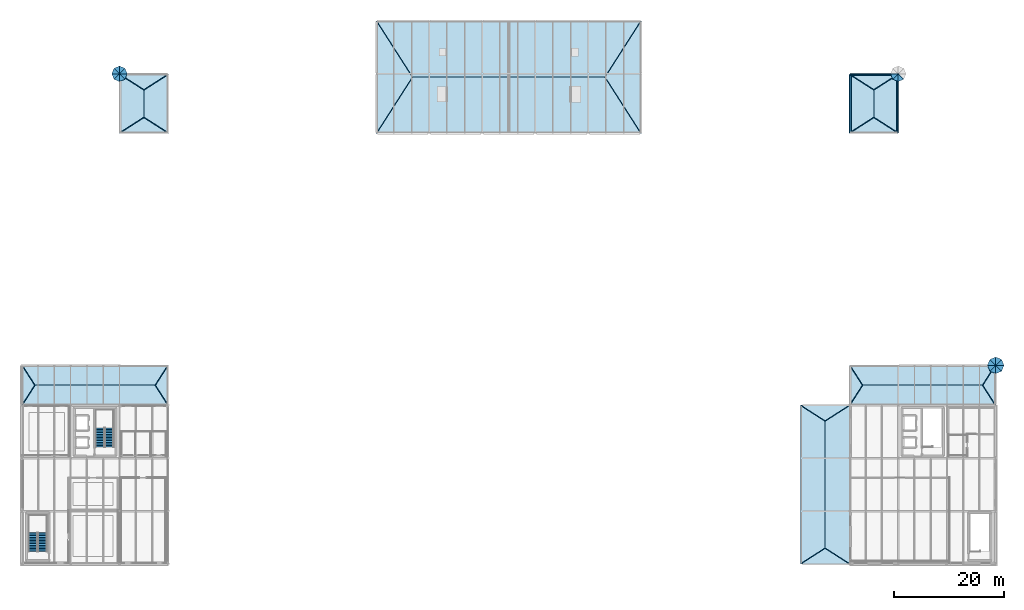
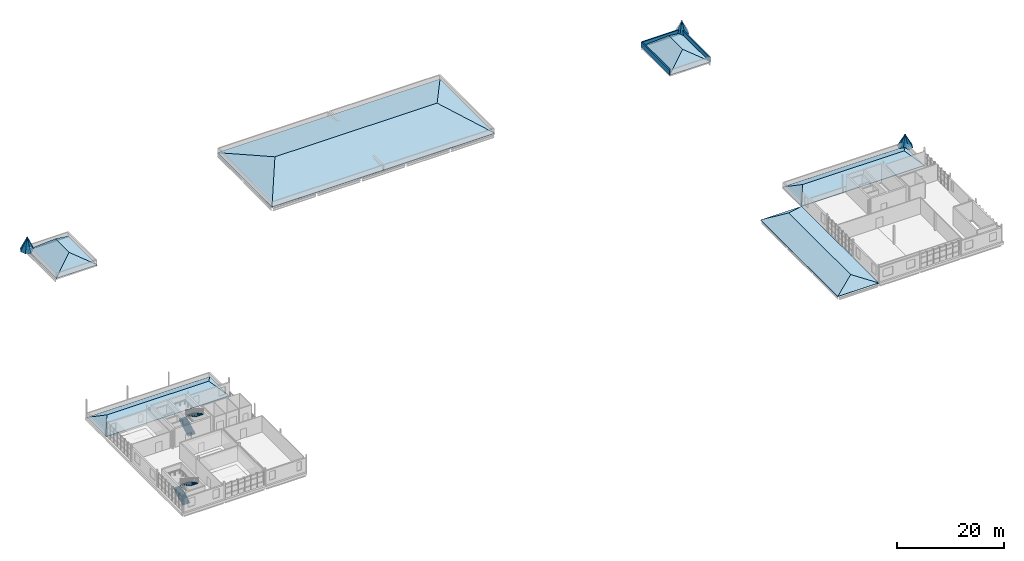
# One storey, part 25 of 28: 43 roofs, 4 stair flights, 3 walls, 2 elements without a shape of their own.
"""IFC4 building model written with IfcOpenShell, lengths in metres."""

from ifc_helpers import new_model, si_unit, direction, frame, frame_2d, origin, place, context, subcontext, project, spatial, polyline, rectangle, outline, extrude, material, layer, layer_set, type_object, element, aggregate, save


model = new_model("IFC4")

# Units and contexts
model_context = context("Model", 3, precision=1e-05, world=origin(), true_north=direction((0.0, 1.0)))
body_context = subcontext(model_context, "Body", "Model", "MODEL_VIEW")
ifc_project = project(units=[si_unit("LENGTHUNIT", "METRE"), si_unit("AREAUNIT", "SQUARE_METRE"), si_unit("VOLUMEUNIT", "CUBIC_METRE"), si_unit("PLANEANGLEUNIT", "RADIAN"), si_unit("MASSUNIT", "GRAM", prefix="KILO")], contexts=[model_context])

# Site, building, storey
site_placement = place(None, origin())
site = spatial("IfcSite", under=ifc_project, at=site_placement, CompositionType="ELEMENT")
building_placement = place(site_placement, origin())
building = spatial("IfcBuilding", under=site, at=building_placement, Name="Yeouljin Market Hall", CompositionType="ELEMENT")
storey_placement = place(building_placement, frame((0.0, 0.0, 15.0)))
storey = spatial("IfcBuildingStorey", under=building, at=storey_placement, Name="L03", CompositionType="ELEMENT", Elevation=15.0)

# Walls
ifc_material_1 = material(Name="Clinker Brick Masonry F2-S2", Category="masonry")
ifc_layer_1 = layer(ifc_material_1, 0.280029296875)
ifc_layer_set_1 = layer_set([ifc_layer_1], Name="Clinker Brick Masonry F2-S2")
wall_type = type_object("IfcWallType", Name="Wall_Parapet_Clinker_280", PredefinedType="PARAPET", material=ifc_layer_set_1)
wall_1_placement = place(storey_placement, frame((158.60009765625, 78.139892578125, 0.010009765625), z_axis=(0.0, 0.0, 1.0), x_axis=(0.0, 1.0, 0.0)))
element("IfcWall", 1, at=wall_1_placement, inside=storey, type_object=wall_type, Name="Roof parapet RSLB-V3-L02N-2", PredefinedType="PARAPET", context=body_context, shape_type="SweptSolid", body=[
    extrude(rectangle(XDim=10.52001953125, YDim=0.280029296875, at=frame_2d((5.260009765625, 0.0))), origin(), (0.0, 0.0, 1.0), 1.14990234375),
])
wall_2_placement = place(storey_placement, frame((158.60009765625, 88.659912109375, 0.010009765625), z_axis=(0.0, 0.0, 1.0), x_axis=(-1.0, 0.0, 0.0)))
element("IfcWall", 2, at=wall_2_placement, inside=storey, type_object=wall_type, Name="Roof parapet RSLB-V3-L02N-3", PredefinedType="PARAPET", context=body_context, shape_type="SweptSolid", body=[
    extrude(rectangle(XDim=8.550048828125, YDim=0.280029296875, at=frame_2d((4.27490234375, 0.0))), origin(), (0.0, 0.0, 1.0), 1.14990234375),
])
wall_3_placement = place(storey_placement, frame((150.050048828125, 88.659912109375, 0.010009765625), z_axis=(0.0, 0.0, 1.0), x_axis=(0.0, -1.0, 0.0)))
element("IfcWall", 3, at=wall_3_placement, inside=storey, type_object=wall_type, Name="Roof parapet RSLB-V3-L02N-4", PredefinedType="PARAPET", context=body_context, shape_type="SweptSolid", body=[
    extrude(rectangle(XDim=10.52001953125, YDim=0.280029296875, at=frame_2d((5.260009765625, 0.0))), origin(), (0.0, 0.0, 1.0), 1.14990234375),
])

# Stair, stair flights
ifc_material_2 = material(Name="Concrete C30/37", Category="concrete")
stair_type_1 = type_object("IfcStairType", Name="Stair_Core_L03_L04", PredefinedType="TWO_STRAIGHT_RUN_STAIR", material=ifc_material_2)
stair_1_placement = place(storey_placement, origin())
stair_1 = element("IfcStair", 4, at=stair_1_placement, inside=storey, type_object=stair_type_1, Name="Enclosed exit stair ST-C1-L03", PredefinedType="TWO_STRAIGHT_RUN_STAIR")
ifc_material_3 = material(Name="Concrete C30/37", Category="concrete")
ifc_layer_2 = layer(ifc_material_3, 0.159912109375)
ifc_layer_set_2 = layer_set([ifc_layer_2], Name="Concrete C30/37")
stair_flight_type = type_object("IfcStairFlightType", Name="StairFlight_1580", PredefinedType="STRAIGHT", material=ifc_layer_set_2)
stair_flight_1_placement = place(storey_placement, frame((14.14990234375, 21.199951171875, 0.0), z_axis=(0.0, 0.0, 1.0), x_axis=(0.0, 1.0, 0.0)))
stair_flight_1 = element("IfcStairFlight", 5, at=stair_flight_1_placement, type_object=stair_flight_type, Name="ST-C1-L03 flight 1", NumberOfRisers=13, NumberOfTreads=12, PredefinedType="STRAIGHT", RiserHeight=0.161538462, TreadLength=0.29, context=body_context, shape_type="SweptSolid", body=[
    extrude(outline(polyline([(0.0, 0.0), (0.0, 0.16162109375), (0.2900390625, 0.16162109375), (0.2900390625, 0.322998046875), (0.580078125, 0.322998046875), (0.580078125, 0.484619140625), (0.8701171875, 0.484619140625), (0.8701171875, 0.646240234375), (1.159912109375, 0.646240234375), (1.159912109375, 0.8076171875), (1.449951171875, 0.8076171875), (1.449951171875, 0.96923828125), (1.739990234375, 0.96923828125), (1.739990234375, 1.130859375), (2.030029296875, 1.130859375), (2.030029296875, 1.292236328125), (2.320068359375, 1.292236328125), (2.320068359375, 1.453857421875), (2.610107421875, 1.453857421875), (2.610107421875, 1.615478515625), (2.89990234375, 1.615478515625), (2.89990234375, 1.77685546875), (3.18994140625, 1.77685546875), (3.18994140625, 1.9384765625), (3.47998046875, 1.9384765625), (3.47998046875, 2.10009765625), (3.47998046875, 1.732421875), (0.369873046875, 0.0), (0.0, 0.0)])), frame((0.0, 0.81005859375, 0.0), z_axis=(0.0, -1.0, 0.0), x_axis=(1.0, 0.0, 0.0)), (0.0, 0.0, 1.0), 1.6201171875),
])
stair_flight_2_placement = place(storey_placement, frame((15.85009765625, 24.679931640625, 2.10009765625), z_axis=(0.0, 0.0, 1.0), x_axis=(0.0, -1.0, 0.0)))
stair_flight_2 = element("IfcStairFlight", 6, at=stair_flight_2_placement, type_object=stair_flight_type, Name="ST-C1-L03 flight 2", NumberOfRisers=13, NumberOfTreads=12, PredefinedType="STRAIGHT", RiserHeight=0.161538462, TreadLength=0.29, context=body_context, shape_type="SweptSolid", body=[
    extrude(outline(polyline([(0.0, 0.0), (0.0, 0.16162109375), (0.2900390625, 0.16162109375), (0.2900390625, 0.322998046875), (0.580078125, 0.322998046875), (0.580078125, 0.484619140625), (0.8701171875, 0.484619140625), (0.8701171875, 0.646240234375), (1.159912109375, 0.646240234375), (1.159912109375, 0.8076171875), (1.449951171875, 0.8076171875), (1.449951171875, 0.96923828125), (1.739990234375, 0.96923828125), (1.739990234375, 1.130859375), (2.030029296875, 1.130859375), (2.030029296875, 1.292236328125), (2.320068359375, 1.292236328125), (2.320068359375, 1.453857421875), (2.610107421875, 1.453857421875), (2.610107421875, 1.615478515625), (2.89990234375, 1.615478515625), (2.89990234375, 1.77685546875), (3.18994140625, 1.77685546875), (3.18994140625, 1.9384765625), (3.47998046875, 1.9384765625), (3.47998046875, 2.10009765625), (3.47998046875, 1.732421875), (0.369873046875, 0.0), (0.0, 0.0)])), frame((0.0, 0.81005859375, 0.0), z_axis=(0.0, -1.0, 0.0), x_axis=(1.0, 0.0, 0.0)), (0.0, 0.0, 1.0), 1.6201171875),
])
aggregate(stair_1, [stair_flight_1, stair_flight_2])

ifc_material_4 = material(Name="Concrete C30/37", Category="concrete")
stair_type_2 = type_object("IfcStairType", Name="Stair_Escape_Wing", PredefinedType="HALF_TURN_STAIR", material=ifc_material_4)
stair_2_placement = place(storey_placement, origin())
stair_2 = element("IfcStair", 7, at=stair_2_placement, inside=storey, type_object=stair_type_2, Name="Enclosed exit stair ST-S7-L03", PredefinedType="HALF_TURN_STAIR")
stair_flight_3_placement = place(storey_placement, frame((2.050048828125, 2.25, 0.0), z_axis=(0.0, 0.0, 1.0), x_axis=(0.0, 1.0, 0.0)))
stair_flight_3 = element("IfcStairFlight", 8, at=stair_flight_3_placement, type_object=stair_flight_type, Name="ST-S7-L03 flight 1", NumberOfRisers=13, NumberOfTreads=12, PredefinedType="STRAIGHT", RiserHeight=0.161538462, TreadLength=0.29, context=body_context, shape_type="SweptSolid", body=[
    extrude(outline(polyline([(0.0, 0.0), (0.0, 0.16162109375), (0.2900390625, 0.16162109375), (0.2900390625, 0.322998046875), (0.580078125, 0.322998046875), (0.580078125, 0.484619140625), (0.8701171875, 0.484619140625), (0.8701171875, 0.646240234375), (1.159912109375, 0.646240234375), (1.159912109375, 0.8076171875), (1.449951171875, 0.8076171875), (1.449951171875, 0.96923828125), (1.739990234375, 0.96923828125), (1.739990234375, 1.130859375), (2.030029296875, 1.130859375), (2.030029296875, 1.292236328125), (2.320068359375, 1.292236328125), (2.320068359375, 1.453857421875), (2.610107421875, 1.453857421875), (2.610107421875, 1.615478515625), (2.89990234375, 1.615478515625), (2.89990234375, 1.77685546875), (3.18994140625, 1.77685546875), (3.18994140625, 1.9384765625), (3.47998046875, 1.9384765625), (3.47998046875, 2.10009765625), (3.47998046875, 1.732421875), (0.369873046875, 0.0), (0.0, 0.0)])), frame((0.0, 0.81005859375, 0.0), z_axis=(0.0, -1.0, 0.0), x_axis=(1.0, 0.0, 0.0)), (0.0, 0.0, 1.0), 1.6201171875),
])
stair_flight_4_placement = place(storey_placement, frame((3.75, 5.72998046875, 2.10009765625), z_axis=(0.0, 0.0, 1.0), x_axis=(0.0, -1.0, 0.0)))
stair_flight_4 = element("IfcStairFlight", 9, at=stair_flight_4_placement, type_object=stair_flight_type, Name="ST-S7-L03 flight 2", NumberOfRisers=13, NumberOfTreads=12, PredefinedType="STRAIGHT", RiserHeight=0.161538462, TreadLength=0.29, context=body_context, shape_type="SweptSolid", body=[
    extrude(outline(polyline([(0.0, 0.0), (0.0, 0.16162109375), (0.2900390625, 0.16162109375), (0.2900390625, 0.322998046875), (0.580078125, 0.322998046875), (0.580078125, 0.484619140625), (0.8701171875, 0.484619140625), (0.8701171875, 0.646240234375), (1.159912109375, 0.646240234375), (1.159912109375, 0.8076171875), (1.449951171875, 0.8076171875), (1.449951171875, 0.96923828125), (1.739990234375, 0.96923828125), (1.739990234375, 1.130859375), (2.030029296875, 1.130859375), (2.030029296875, 1.292236328125), (2.320068359375, 1.292236328125), (2.320068359375, 1.453857421875), (2.610107421875, 1.453857421875), (2.610107421875, 1.615478515625), (2.89990234375, 1.615478515625), (2.89990234375, 1.77685546875), (3.18994140625, 1.77685546875), (3.18994140625, 1.9384765625), (3.47998046875, 1.9384765625), (3.47998046875, 2.10009765625), (3.47998046875, 1.732421875), (0.369873046875, 0.0), (0.0, 0.0)])), frame((0.0, 0.81005859375, 0.0), z_axis=(0.0, -1.0, 0.0), x_axis=(1.0, 0.0, 0.0)), (0.0, 0.0, 1.0), 1.6201171875),
])
aggregate(stair_2, [stair_flight_3, stair_flight_4])

# Roofs
ifc_material_5 = material(Name="Standing Seam Patinated Copper")
ifc_layer_3 = layer(ifc_material_5, 0.219970703125)
ifc_layer_set_3 = layer_set([ifc_layer_3], Name="Standing Seam Patinated Copper")
roof_type_1 = type_object("IfcRoofType", Name="Roof_Amsterdam_Hipped", PredefinedType="HIP_ROOF", material=ifc_layer_set_3)
roof_1_placement = place(storey_placement, frame((0.0, 28.800048828125, 0.050048828125), z_axis=(0.0, -0.476288911721, 0.879288844789), x_axis=(1.0, 0.0, 0.0)))
element("IfcRoof", 10, at=roof_1_placement, inside=storey, type_object=roof_type_1, Name="West north-shoulder hipped roof RF-V2-L03N-S", PredefinedType="HIP_ROOF", context=body_context, shape_type="SweptSolid", body=[
    extrude(outline(polyline([(0.0, 0.0), (26.550048828125, 0.0), (24.24609375, 4.0940511607275205), (2.303955078125, 4.0940511607275205), (0.0, 0.0)])), origin(), (0.0, 0.0, -1.0), 0.219970703125),
])
roof_2_placement = place(storey_placement, frame((26.550048828125, 36.0, 0.050048828125), z_axis=(0.0, 0.476263938798, 0.879302371543), x_axis=(-1.0, 0.0, 0.0)))
element("IfcRoof", 11, at=roof_2_placement, inside=storey, type_object=roof_type_1, Name="West north-shoulder hipped roof RF-V2-L03N-N", PredefinedType="HIP_ROOF", context=body_context, shape_type="SweptSolid", body=[
    extrude(outline(polyline([(0.0, 0.0), (26.550048828125, 0.0), (24.24609375, 4.094265832506901), (2.303955078125, 4.094265832506901), (0.0, 0.0)])), origin(), (0.0, 0.0, -1.0), 0.219970703125),
])
roof_3_placement = place(storey_placement, frame((0.0, 36.0, 0.050048828125), z_axis=(-0.646029258476, 0.0, 0.763312647081), x_axis=(0.0, -1.0, 0.0)))
element("IfcRoof", 12, at=roof_3_placement, inside=storey, type_object=roof_type_1, Name="West north-shoulder hipped roof RF-V2-L03N-W", PredefinedType="HIP_ROOF", context=body_context, shape_type="SweptSolid", body=[
    extrude(outline(polyline([(0.0, 0.0), (7.199951171875, 0.0), (3.60009765625, 3.018363559068831), (0.0, 0.0)])), origin(), (0.0, 0.0, -1.0), 0.219970703125),
])
roof_4_placement = place(storey_placement, frame((26.550048828125, 28.800048828125, 0.050048828125), z_axis=(0.646029258476, 0.0, 0.763312647081), x_axis=(0.0, 1.0, 0.0)))
element("IfcRoof", 13, at=roof_4_placement, inside=storey, type_object=roof_type_1, Name="West north-shoulder hipped roof RF-V2-L03N-E", PredefinedType="HIP_ROOF", context=body_context, shape_type="SweptSolid", body=[
    extrude(outline(polyline([(0.0, 0.0), (7.199951171875, 0.0), (3.599853515625, 3.018363559068831), (0.0, 0.0)])), origin(), (0.0, 0.0, -1.0), 0.219970703125),
])
roof_5_placement = place(storey_placement, frame((149.909912109375, 28.800048828125, 0.050048828125), z_axis=(0.0, -0.476288911721, 0.879288844789), x_axis=(1.0, 0.0, 0.0)))
element("IfcRoof", 14, at=roof_5_placement, inside=storey, type_object=roof_type_1, Name="East dining gallery hipped roof RF-V3-L03N-S", PredefinedType="HIP_ROOF", context=body_context, shape_type="SweptSolid", body=[
    extrude(outline(polyline([(0.0, 0.0), (26.489990234375, 0.0), (24.18603515625, 4.0940511607275205), (2.30419921875, 4.0940511607275205), (0.0, 0.0)])), origin(), (0.0, 0.0, -1.0), 0.219970703125),
])
roof_6_placement = place(storey_placement, frame((176.39990234375, 36.0, 0.050048828125), z_axis=(0.0, 0.476263938798, 0.879302371543), x_axis=(-1.0, 0.0, 0.0)))
element("IfcRoof", 15, at=roof_6_placement, inside=storey, type_object=roof_type_1, Name="East dining gallery hipped roof RF-V3-L03N-N", PredefinedType="HIP_ROOF", context=body_context, shape_type="SweptSolid", body=[
    extrude(outline(polyline([(0.0, 0.0), (26.489990234375, 0.0), (24.185791015625, 4.094265832506901), (2.303955078125, 4.094265832506901), (0.0, 0.0)])), origin(), (0.0, 0.0, -1.0), 0.219970703125),
])
roof_7_placement = place(storey_placement, frame((149.909912109375, 36.0, 0.050048828125), z_axis=(-0.645989373812, 0.0, 0.763346401657), x_axis=(0.0, -1.0, 0.0)))
element("IfcRoof", 16, at=roof_7_placement, inside=storey, type_object=roof_type_1, Name="East dining gallery hipped roof RF-V3-L03N-W", PredefinedType="HIP_ROOF", context=body_context, shape_type="SweptSolid", body=[
    extrude(outline(polyline([(0.0, 0.0), (7.199951171875, 0.0), (3.60009765625, 3.018549918816119), (0.0, 0.0)])), origin(), (0.0, 0.0, -1.0), 0.219970703125),
])
roof_8_placement = place(storey_placement, frame((176.39990234375, 28.800048828125, 0.050048828125), z_axis=(0.646029258476, 0.0, 0.763312647081), x_axis=(0.0, 1.0, 0.0)))
element("IfcRoof", 17, at=roof_8_placement, inside=storey, type_object=roof_type_1, Name="East dining gallery hipped roof RF-V3-L03N-E", PredefinedType="HIP_ROOF", context=body_context, shape_type="SweptSolid", body=[
    extrude(outline(polyline([(0.0, 0.0), (7.199951171875, 0.0), (3.599853515625, 3.018363559068831), (0.0, 0.0)])), origin(), (0.0, 0.0, -1.0), 0.219970703125),
])
roof_9_placement = place(storey_placement, frame((64.199951171875, 78.0, 0.050048828125), z_axis=(0.0, -0.277826373781, 0.960631305982), x_axis=(1.0, 0.0, 0.0)))
element("IfcRoof", 18, at=roof_9_placement, inside=storey, type_object=roof_type_1, Name="North hygiene & cold-store hipped roof RF-V4-MAIN-S", PredefinedType="HIP_ROOF", context=body_context, shape_type="SweptSolid", body=[
    extrude(outline(polyline([(0.0, 0.0), (48.0, 0.0), (41.47216796875, 10.617966652098737), (6.528076171875, 10.617966652098737), (0.0, 0.0)])), origin(), (0.0, 0.0, -1.0), 0.219970703125),
])
roof_10_placement = place(storey_placement, frame((112.199951171875, 98.39990234375, 0.050048828125), z_axis=(0.0, 0.277826373781, 0.960631305982), x_axis=(-1.0, 0.0, 0.0)))
element("IfcRoof", 19, at=roof_10_placement, inside=storey, type_object=roof_type_1, Name="North hygiene & cold-store hipped roof RF-V4-MAIN-N", PredefinedType="HIP_ROOF", context=body_context, shape_type="SweptSolid", body=[
    extrude(outline(polyline([(0.0, 0.0), (48.0, 0.0), (41.471923828125, 10.617966652098737), (6.52783203125, 10.617966652098737), (0.0, 0.0)])), origin(), (0.0, 0.0, -1.0), 0.219970703125),
])
roof_11_placement = place(storey_placement, frame((64.199951171875, 98.39990234375, 0.050048828125), z_axis=(-0.411793992747, 0.0, 0.911276965328), x_axis=(0.0, -1.0, 0.0)))
element("IfcRoof", 20, at=roof_11_placement, inside=storey, type_object=roof_type_1, Name="North hygiene & cold-store hipped roof RF-V4-MAIN-W", PredefinedType="HIP_ROOF", context=body_context, shape_type="SweptSolid", body=[
    extrude(outline(polyline([(0.0, 0.0), (20.39990234375, 0.0), (10.199951171875, 7.163657614811642), (0.0, 0.0)])), origin(), (0.0, 0.0, -1.0), 0.219970703125),
])
roof_12_placement = place(storey_placement, frame((112.199951171875, 78.0, 0.050048828125), z_axis=(0.411806782075, 0.0, 0.911271185892), x_axis=(0.0, 1.0, 0.0)))
element("IfcRoof", 21, at=roof_12_placement, inside=storey, type_object=roof_type_1, Name="North hygiene & cold-store hipped roof RF-V4-MAIN-E", PredefinedType="HIP_ROOF", context=body_context, shape_type="SweptSolid", body=[
    extrude(outline(polyline([(0.0, 0.0), (20.39990234375, 0.0), (10.199951171875, 7.163435135789267), (0.0, 0.0)])), origin(), (0.0, 0.0, -1.0), 0.219970703125),
])
ifc_material_6 = material(Name="Standing Seam Patinated Copper")
ifc_layer_4 = layer(ifc_material_6, 0.179931640625)
ifc_layer_set_4 = layer_set([ifc_layer_4], Name="Standing Seam Patinated Copper")
roof_type_2 = type_object("IfcRoofType", Name="Roof_Boulevard_Canopy", PredefinedType="GABLE_ROOF", material=ifc_layer_set_4)
roof_13_placement = place(storey_placement, frame((141.080078125, 28.800048828125, 0.02001953125), z_axis=(-0.368481730148, 0.0, 0.929634989954), x_axis=(0.0, -1.0, 0.0)))
element("IfcRoof", 22, at=roof_13_placement, inside=storey, type_object=roof_type_2, Name="East harbour terrace pergola canopy roof RF-V3-TRCAN-W", PredefinedType="GABLE_ROOF", context=body_context, shape_type="SweptSolid", body=[
    extrude(outline(polyline([(0.0, 0.0), (28.800048828125, 0.0), (25.974365234375, 4.749217822273566), (2.82568359375, 4.749217822273566), (0.0, 0.0)])), origin(), (0.0, 0.0, -1.0), 0.219970703125),
])
roof_14_placement = place(storey_placement, frame((149.909912109375, 0.0, 0.02001953125), z_axis=(0.368499340397, 0.0, 0.929628009543), x_axis=(0.0, 1.0, 0.0)))
element("IfcRoof", 23, at=roof_14_placement, inside=storey, type_object=roof_type_2, Name="East harbour terrace pergola canopy roof RF-V3-TRCAN-E", PredefinedType="GABLE_ROOF", context=body_context, shape_type="SweptSolid", body=[
    extrude(outline(polyline([(0.0, 0.0), (28.800048828125, 0.0), (25.974365234375, 4.748990861458178), (2.82568359375, 4.748990861458178), (0.0, 0.0)])), origin(), (0.0, 0.0, -1.0), 0.219970703125),
])
roof_15_placement = place(storey_placement, frame((141.080078125, 0.0, 0.02001953125), z_axis=(0.0, -0.526521502622, 0.850161812408), x_axis=(1.0, 0.0, 0.0)))
element("IfcRoof", 24, at=roof_15_placement, inside=storey, type_object=roof_type_2, Name="East harbour terrace pergola canopy roof RF-V3-TRCAN-S", PredefinedType="GABLE_ROOF", context=body_context, shape_type="SweptSolid", body=[
    extrude(outline(polyline([(0.0, 0.0), (8.829833984375, 0.0), (4.4150390625, 3.3237009149422447), (0.0, 0.0)])), origin(), (0.0, 0.0, -1.0), 0.219970703125),
])
roof_16_placement = place(storey_placement, frame((149.909912109375, 28.800048828125, 0.02001953125), z_axis=(0.0, 0.526521502622, 0.850161812408), x_axis=(-1.0, 0.0, 0.0)))
element("IfcRoof", 25, at=roof_16_placement, inside=storey, type_object=roof_type_2, Name="East harbour terrace pergola canopy roof RF-V3-TRCAN-N", PredefinedType="GABLE_ROOF", context=body_context, shape_type="SweptSolid", body=[
    extrude(outline(polyline([(0.0, 0.0), (8.829833984375, 0.0), (4.414794921875, 3.3237009149422447), (0.0, 0.0)])), origin(), (0.0, 0.0, -1.0), 0.219970703125),
])
ifc_material_7 = material(Name="Standing Seam Patinated Copper")
ifc_layer_5 = layer(ifc_material_7, 0.199951171875)
ifc_layer_set_5 = layer_set([ifc_layer_5], Name="Standing Seam Patinated Copper")
roof_type_3 = type_object("IfcRoofType", Name="Roof_Turret_Pavilion", PredefinedType="PAVILION_ROOF", material=ifc_layer_set_5)
for number, where, z_axis, x_axis, name in (
    (26, (17.699951171875, 88.800048828125, 0.050048828125), (-0.513764673839, 0.0, 0.857931151034), (0.0, -1.0, 0.0), "Northwest stair turret C2 pavilion roof RF-V2-C2N-W"),
    (27, (26.550048828125, 78.0, 0.050048828125), (0.513764673839, 0.0, 0.857931151034), (0.0, 1.0, 0.0), "Northwest stair turret C2 pavilion roof RF-V2-C2N-E"),
):
    element("IfcRoof", number, at=place(storey_placement, frame(where, z_axis=z_axis, x_axis=x_axis)), inside=storey, type_object=roof_type_3, Name=name, PredefinedType="PAVILION_ROOF", context=body_context, shape_type="SweptSolid", body=[
        extrude(outline(polyline([(0.0, 0.0), (10.800048828125, 0.0), (7.968017578125, 5.157813447838356), (2.83203125, 5.157813447838356), (0.0, 0.0)])), origin(), (0.0, 0.0, -1.0), 0.219970703125),
    ])
for number, where, z_axis, x_axis, name in (
    (28, (17.699951171875, 78.0, 0.050048828125), (0.0, -0.683237259314, 0.730196444448), (1.0, 0.0, 0.0), "Northwest stair turret C2 pavilion roof RF-V2-C2N-S"),
    (29, (26.550048828125, 88.800048828125, 0.050048828125), (0.0, 0.683237259314, 0.730196444448), (-1.0, 0.0, 0.0), "Northwest stair turret C2 pavilion roof RF-V2-C2N-N"),
):
    element("IfcRoof", number, at=place(storey_placement, frame(where, z_axis=z_axis, x_axis=x_axis)), inside=storey, type_object=roof_type_3, Name=name, PredefinedType="PAVILION_ROOF", context=body_context, shape_type="SweptSolid", body=[
        extrude(outline(polyline([(0.0, 0.0), (8.85009765625, 0.0), (4.425048828125, 3.8784511641102695), (0.0, 0.0)])), origin(), (0.0, 0.0, -1.0), 0.219970703125),
    ])
for number, where, z_axis, x_axis, name in (
    (30, (149.909912109375, 88.800048828125, 0.050048828125), (-0.514621255052, 0.0, 0.857417613447), (0.0, -1.0, 0.0), "Northeast stair turret C4 pavilion roof RF-V3-C4N-W"),
    (31, (158.739990234375, 78.0, 0.050048828125), (0.514621255052, 0.0, 0.857417613447), (0.0, 1.0, 0.0), "Northeast stair turret C4 pavilion roof RF-V3-C4N-E"),
):
    element("IfcRoof", number, at=place(storey_placement, frame(where, z_axis=z_axis, x_axis=x_axis)), inside=storey, type_object=roof_type_3, Name=name, PredefinedType="PAVILION_ROOF", context=body_context, shape_type="SweptSolid", body=[
        extrude(outline(polyline([(0.0, 0.0), (10.800048828125, 0.0), (7.974365234375, 5.149228326148746), (2.82568359375, 5.149228326148746), (0.0, 0.0)])), origin(), (0.0, 0.0, -1.0), 0.219970703125),
    ])
for number, where, z_axis, x_axis, name in (
    (32, (149.909912109375, 78.0, 0.050048828125), (0.0, -0.684054326646, 0.729431064732), (1.0, 0.0, 0.0), "Northeast stair turret C4 pavilion roof RF-V3-C4N-S"),
    (33, (158.739990234375, 88.800048828125, 0.050048828125), (0.0, 0.684054326646, 0.729431064732), (-1.0, 0.0, 0.0), "Northeast stair turret C4 pavilion roof RF-V3-C4N-N"),
):
    element("IfcRoof", number, at=place(storey_placement, frame(where, z_axis=z_axis, x_axis=x_axis)), inside=storey, type_object=roof_type_3, Name=name, PredefinedType="PAVILION_ROOF", context=body_context, shape_type="SweptSolid", body=[
        extrude(outline(polyline([(0.0, 0.0), (8.830078125, 0.0), (4.4150390625, 3.8738185558179747), (0.0, 0.0)])), origin(), (0.0, 0.0, -1.0), 0.219970703125),
    ])
roof_17_placement = place(storey_placement, frame((176.39990234375, 36.0, 2.85009765625), z_axis=(0.82805742093, 0.342848170369, 0.443594454111), x_axis=(0.472215014025, 0.0, -0.881483397762)))
element("IfcRoof", 34, at=roof_17_placement, inside=storey, type_object=roof_type_3, Name="Corner turret roof facet NE-V3-1", PredefinedType="PAVILION_ROOF", context=body_context, shape_type="SweptSolid", body=[
    extrude(outline(polyline([(0.0, 0.0), (3.1765190759515654, 0.0), (2.9691179992351775, 1.129232883050844), (0.0, 0.0)])), origin(), (0.0, 0.0, -1.0), 0.179931640625),
])
roof_18_placement = place(storey_placement, frame((176.39990234375, 36.0, 2.85009765625), z_axis=(0.342848170369, 0.82805742093, 0.443594454111), x_axis=(0.333938443179, 0.333938443179, -0.881459149555)))
element("IfcRoof", 35, at=roof_18_placement, inside=storey, type_object=roof_type_3, Name="Corner turret roof facet NE-V3-2", PredefinedType="PAVILION_ROOF", context=body_context, shape_type="SweptSolid", body=[
    extrude(outline(polyline([(0.0, 0.0), (3.1766064593439367, 0.0), (2.9690363235204025, 1.1292018196498965), (0.0, 0.0)])), origin(), (0.0, 0.0, -1.0), 0.179931640625),
])
roof_19_placement = place(storey_placement, frame((176.39990234375, 36.0, 2.85009765625), z_axis=(-0.342917814901, 0.828035012746, 0.443582449935), x_axis=(0.0, 0.472215014025, -0.881483397762)))
element("IfcRoof", 36, at=roof_19_placement, inside=storey, type_object=roof_type_3, Name="Corner turret roof facet NE-V3-3", PredefinedType="PAVILION_ROOF", context=body_context, shape_type="SweptSolid", body=[
    extrude(outline(polyline([(0.0, 0.0), (3.176519075951565, 0.0), (2.969117999235177, 1.129003542689246), (0.0, 0.0)])), origin(), (0.0, 0.0, -1.0), 0.179931640625),
])
roof_20_placement = place(storey_placement, frame((176.39990234375, 36.0, 2.85009765625), z_axis=(-0.828003306751, 0.343016329609, 0.443565464877), x_axis=(-0.333870155317, 0.333947013088, -0.881481770565)))
element("IfcRoof", 37, at=roof_20_placement, inside=storey, type_object=roof_type_3, Name="Corner turret roof facet NE-V3-4", PredefinedType="PAVILION_ROOF", context=body_context, shape_type="SweptSolid", body=[
    extrude(outline(polyline([(0.0, 0.0), (3.1765249397395214, 1.1102230246251565e-16), (2.968997231659559, 1.129304599424824), (0.0, 0.0)])), origin(), (0.0, 0.0, -1.0), 0.179931640625),
])
roof_21_placement = place(storey_placement, frame((176.39990234375, 36.0, 2.85009765625), z_axis=(-0.828003306751, -0.343016329609, 0.443565464877), x_axis=(-0.472215014025, 0.0, -0.881483397762)))
element("IfcRoof", 38, at=roof_21_placement, inside=storey, type_object=roof_type_3, Name="Corner turret roof facet NE-V3-5", PredefinedType="PAVILION_ROOF", context=body_context, shape_type="SweptSolid", body=[
    extrude(outline(polyline([(0.0, 0.0), (3.176519075951565, 5.551115123125783e-17), (2.969002712366519, 1.129306684097559), (0.0, 0.0)])), origin(), (0.0, 0.0, -1.0), 0.179931640625),
])
roof_22_placement = place(storey_placement, frame((176.39990234375, 36.0, 2.85009765625), z_axis=(-0.342917814901, -0.828035012746, 0.443582449935), x_axis=(-0.333870155317, -0.333947013088, -0.881481770565)))
element("IfcRoof", 39, at=roof_22_placement, inside=storey, type_object=roof_type_3, Name="Corner turret roof facet NE-V3-6", PredefinedType="PAVILION_ROOF", context=body_context, shape_type="SweptSolid", body=[
    extrude(outline(polyline([(0.0, 0.0), (3.1765249397395214, 2.220446049250313e-16), (2.9691125183154004, 1.1290014585761028), (0.0, 0.0)])), origin(), (0.0, 0.0, -1.0), 0.179931640625),
])
roof_23_placement = place(storey_placement, frame((176.39990234375, 36.0, 2.85009765625), z_axis=(0.342848170369, -0.82805742093, 0.443594454111), x_axis=(0.0, -0.472215014025, -0.881483397762)))
element("IfcRoof", 40, at=roof_23_placement, inside=storey, type_object=roof_type_3, Name="Corner turret roof facet NE-V3-7", PredefinedType="PAVILION_ROOF", context=body_context, shape_type="SweptSolid", body=[
    extrude(outline(polyline([(0.0, 0.0), (3.1765190759515654, 0.0), (2.9691179992351775, 1.129232883050844), (0.0, 0.0)])), origin(), (0.0, 0.0, -1.0), 0.179931640625),
])
roof_24_placement = place(storey_placement, frame((176.39990234375, 36.0, 2.85009765625), z_axis=(0.82805742093, -0.342848170369, 0.443594454111), x_axis=(0.333938443179, -0.333938443179, -0.881459149555)))
element("IfcRoof", 41, at=roof_24_placement, inside=storey, type_object=roof_type_3, Name="Corner turret roof facet NE-V3-8", PredefinedType="PAVILION_ROOF", context=body_context, shape_type="SweptSolid", body=[
    extrude(outline(polyline([(0.0, 0.0), (3.1766064593439367, 0.0), (2.9690363235204025, 1.1292018196498965), (0.0, 0.0)])), origin(), (0.0, 0.0, -1.0), 0.179931640625),
])
roof_25_placement = place(storey_placement, frame((17.699951171875, 88.800048828125, 2.949951171875), z_axis=(0.84369342939, 0.349631218889, 0.407356610334), x_axis=(0.434797829385, 0.0, -0.900528093711)))
element("IfcRoof", 42, at=roof_25_placement, inside=storey, type_object=roof_type_3, Name="Corner turret roof facet C2-PROW-1", PredefinedType="PAVILION_ROOF", context=body_context, shape_type="SweptSolid", body=[
    extrude(outline(polyline([(0.0, 0.0), (3.2202241817914503, 5.551115123125783e-17), (3.0418891345828873, 1.0564194670889808), (0.0, 0.0)])), origin(), (0.0, 0.0, -1.0), 0.179931640625),
])
roof_26_placement = place(storey_placement, frame((17.699951171875, 88.800048828125, 2.949951171875), z_axis=(0.349565647581, 0.843743274371, 0.407309642637), x_axis=(0.307439833518, 0.30736401605, -0.900559887183)))
element("IfcRoof", 43, at=roof_26_placement, inside=storey, type_object=roof_type_3, Name="Corner turret roof facet C2-PROW-2", PredefinedType="PAVILION_ROOF", context=body_context, shape_type="SweptSolid", body=[
    extrude(outline(polyline([(0.0, 0.0), (3.2201104946162946, 2.220446049250313e-16), (3.0418153339834193, 1.0566549338676405), (0.0, 0.0)])), origin(), (0.0, 0.0, -1.0), 0.179931640625),
])
roof_27_placement = place(storey_placement, frame((17.699951171875, 88.800048828125, 2.949951171875), z_axis=(-0.349641334853, 0.843717840176, 0.407297364503), x_axis=(0.0, 0.434736344275, -0.900557777695)))
element("IfcRoof", 44, at=roof_27_placement, inside=storey, type_object=roof_type_3, Name="Corner turret roof facet C2-PROW-3", PredefinedType="PAVILION_ROOF", context=body_context, shape_type="SweptSolid", body=[
    extrude(outline(polyline([(0.0, 0.0), (3.2201180374830187, -5.551115123125783e-17), (3.0418082087763936, 1.056423723935647), (0.0, 0.0)])), origin(), (0.0, 0.0, -1.0), 0.179931640625),
])
roof_28_placement = place(storey_placement, frame((17.699951171875, 88.800048828125, 2.949951171875), z_axis=(-0.843717840176, 0.349641334853, 0.407297364503), x_axis=(-0.30737117986, 0.30737117986, -0.900580876758)))
element("IfcRoof", 45, at=roof_28_placement, inside=storey, type_object=roof_type_3, Name="Corner turret roof facet C2-PROW-4", PredefinedType="PAVILION_ROOF", context=body_context, shape_type="SweptSolid", body=[
    extrude(outline(polyline([(0.0, 0.0), (3.220035444443665, 0.0), (3.0418862303352947, 1.0564508209188048), (0.0, 0.0)])), origin(), (0.0, 0.0, -1.0), 0.179931640625),
])
roof_29_placement = place(storey_placement, frame((17.699951171875, 88.800048828125, 2.949951171875), z_axis=(-0.843743274371, -0.349565647581, 0.407309642637), x_axis=(-0.434736344275, 0.0, -0.900557777695)))
element("IfcRoof", 46, at=roof_29_placement, inside=storey, type_object=roof_type_3, Name="Corner turret roof facet C2-PROW-5", PredefinedType="PAVILION_ROOF", context=body_context, shape_type="SweptSolid", body=[
    extrude(outline(polyline([(0.0, 0.0), (3.2201180374830187, 5.551115123125783e-17), (3.041808208776394, 1.0566524587387018), (0.0, 0.0)])), origin(), (0.0, 0.0, -1.0), 0.179931640625),
])
roof_30_placement = place(storey_placement, frame((17.699951171875, 88.800048828125, 2.949951171875), z_axis=(-0.349631218889, -0.84369342939, 0.407356610334), x_axis=(-0.30736401605, -0.307439833518, -0.900559887183)))
element("IfcRoof", 47, at=roof_30_placement, inside=storey, type_object=roof_type_3, Name="Corner turret roof facet C2-PROW-6", PredefinedType="PAVILION_ROOF", context=body_context, shape_type="SweptSolid", body=[
    extrude(outline(polyline([(0.0, 0.0), (3.2201104946162946, 2.220446049250313e-16), (3.0419965295879434, 1.0564567643634672), (0.0, 0.0)])), origin(), (0.0, 0.0, -1.0), 0.179931640625),
])
roof_31_placement = place(storey_placement, frame((17.699951171875, 88.800048828125, 2.949951171875), z_axis=(0.349555533197, -0.843718861377, 0.407368889544), x_axis=(0.0, -0.434797829385, -0.900528093711)))
element("IfcRoof", 48, at=roof_31_placement, inside=storey, type_object=roof_type_3, Name="Corner turret roof facet C2-PROW-7", PredefinedType="PAVILION_ROOF", context=body_context, shape_type="SweptSolid", body=[
    extrude(outline(polyline([(0.0, 0.0), (3.2202241817914503, 0.0), (3.0418891345828873, 1.0566482028135238), (0.0, 0.0)])), origin(), (0.0, 0.0, -1.0), 0.179931640625),
])
roof_32_placement = place(storey_placement, frame((17.699951171875, 88.800048828125, 2.949951171875), z_axis=(0.843718861377, -0.349555533197, 0.407368889544), x_axis=(0.307432668442, -0.307432668442, -0.900538899076)))
element("IfcRoof", 49, at=roof_32_placement, inside=storey, type_object=roof_type_3, Name="Corner turret roof facet C2-PROW-8", PredefinedType="PAVILION_ROOF", context=body_context, shape_type="SweptSolid", body=[
    extrude(outline(polyline([(0.0, 0.0), (3.2201855430397917, 1.1102230246251565e-16), (3.041925633970042, 1.056660881451743), (0.0, 0.0)])), origin(), (0.0, 0.0, -1.0), 0.179931640625),
])
roof_33_placement = place(storey_placement, frame((158.739990234375, 88.800048828125, 2.949951171875), z_axis=(-0.843804633139, -0.349382978802, 0.407339263043), x_axis=(-0.434736344275, 0.0, -0.900557777695)))
element("IfcRoof", 50, at=roof_33_placement, inside=storey, type_object=roof_type_3, Name="Corner turret roof facet C4-PROW-5", PredefinedType="PAVILION_ROOF", context=body_context, shape_type="SweptSolid", body=[
    extrude(outline(polyline([(0.0, 0.0), (3.2201180374830187, 0.0), (3.0419143455791953, 1.0565756223583702), (0.0, 0.0)])), origin(), (0.0, 0.0, -1.0), 0.179931640625),
])
roof_34_placement = place(storey_placement, frame((158.739990234375, 88.800048828125, 2.949951171875), z_axis=(-0.349555533197, -0.843718861377, 0.407368889544), x_axis=(-0.307432668442, -0.307432668442, -0.900538899076)))
element("IfcRoof", 51, at=roof_34_placement, inside=storey, type_object=roof_type_3, Name="Corner turret roof facet C4-PROW-6", PredefinedType="PAVILION_ROOF", context=body_context, shape_type="SweptSolid", body=[
    extrude(outline(polyline([(0.0, 0.0), (3.2201855430397917, 1.1102230246251565e-16), (3.041925633970042, 1.056660881451743), (0.0, 0.0)])), origin(), (0.0, 0.0, -1.0), 0.179931640625),
])
roof_35_placement = place(storey_placement, frame((158.739990234375, 88.800048828125, 2.949951171875), z_axis=(0.349555533197, -0.843718861377, 0.407368889544), x_axis=(0.0, -0.434797829385, -0.900528093711)))
element("IfcRoof", 52, at=roof_35_placement, inside=storey, type_object=roof_type_3, Name="Corner turret roof facet C4-PROW-7", PredefinedType="PAVILION_ROOF", context=body_context, shape_type="SweptSolid", body=[
    extrude(outline(polyline([(0.0, 0.0), (3.2202241817914503, 0.0), (3.0418891345828873, 1.0566482028135238), (0.0, 0.0)])), origin(), (0.0, 0.0, -1.0), 0.179931640625),
])

save(model, "model.ifc")
